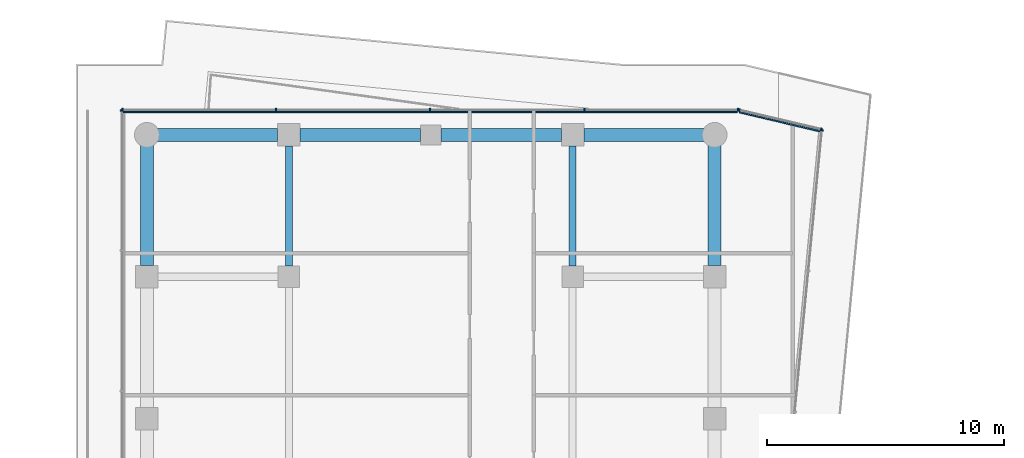
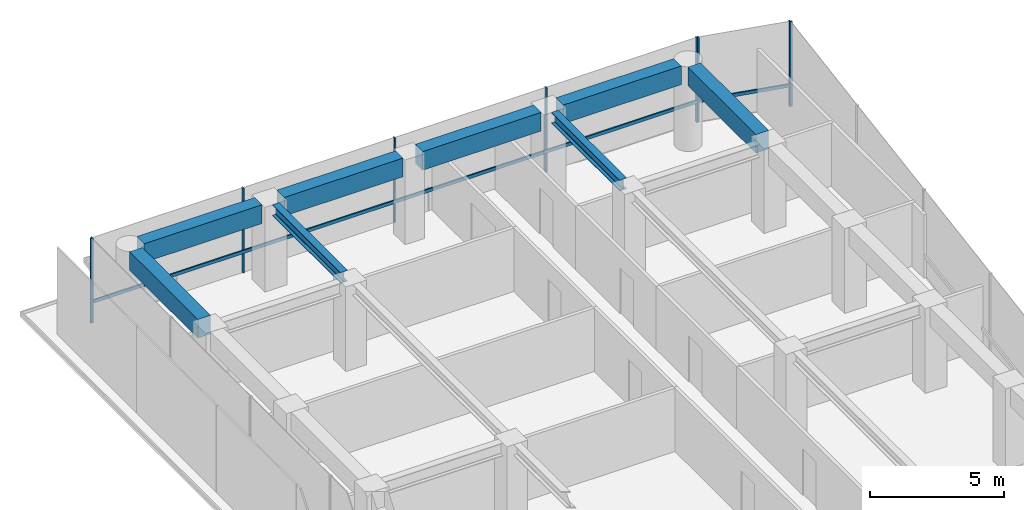
# One storey, part 16 of 23: 11 members, 8 beams, 4 elements without a shape of their own.
"""IFC4 building model written with IfcOpenShell, lengths in metres."""

from ifc_helpers import new_model, si_unit, direction, frame, origin, origin_2d, place, context, subcontext, project, spatial, rectangle, i_section, extrude, material, layer, layer_set, material_profile, profile_set, type_object, element, aggregate, save


model = new_model("IFC4")

# Units and contexts
model_context = context("Model", 3, precision=1e-05, world=origin(), true_north=direction((0.0, 1.0)))
body_context = subcontext(model_context, "Body", "Model", "MODEL_VIEW")
ifc_project = project(units=[si_unit("LENGTHUNIT", "METRE"), si_unit("AREAUNIT", "SQUARE_METRE"), si_unit("VOLUMEUNIT", "CUBIC_METRE"), si_unit("PLANEANGLEUNIT", "RADIAN"), si_unit("MASSUNIT", "GRAM", prefix="KILO")], contexts=[model_context])

# Site, building, storey
site_placement = place(None, origin())
site = spatial("IfcSite", under=ifc_project, at=site_placement, CompositionType="ELEMENT")
building_placement = place(site_placement, origin())
building = spatial("IfcBuilding", under=site, at=building_placement, Name="Welwitschia Terrace Campus", CompositionType="ELEMENT")
storey_placement = place(building_placement, frame((0.0, 0.0, 146.60009765625)))
storey = spatial("IfcBuildingStorey", under=building, at=storey_placement, Name="L32", CompositionType="ELEMENT", Elevation=146.60009765625)

# Beams
ifc_material_1 = material(Name="Steel S355", Category="steel")
ifc_material_profile_1 = material_profile(ifc_material_1, i_section(OverallWidth=0.300048828125, OverallDepth=0.489990234375, WebThickness=0.011962890625, FlangeThickness=0.02294921875, FilletRadius=0.027099609375, at=origin_2d()))
ifc_profile_set_1 = profile_set([ifc_material_profile_1], Name="Steel S355")
beam_type_1 = type_object("IfcBeamType", Name="Interior girder HE 500 A", PredefinedType="BEAM", material=ifc_profile_set_1)
for number, where, z_axis, x_axis, name in (
    (1, (6.0, 56.450439453125, 3.60498046875), (0.0, 1.0, 0.0), (-1.0, 0.0, 0.0), "Girder GB4"),
    (2, (18.0, 56.450439453125, 3.60498046875), (0.0, 1.0, 0.0), (-1.0, 0.0, 0.0), "Girder GB4"),
):
    element("IfcBeam", number, at=place(storey_placement, frame(where, z_axis=z_axis, x_axis=x_axis)), inside=storey, type_object=beam_type_1, Name=name, PredefinedType="BEAM", context=body_context, shape_type="SweptSolid", body=[
        extrude(i_section(OverallWidth=0.300048828125, OverallDepth=0.489990234375, WebThickness=0.011962890625, FlangeThickness=0.02294921875, FilletRadius=0.027099609375, at=origin_2d()), origin(), (0.0, 0.0, 1.0), 5.083984375),
    ])

# Curtain wall, member
ifc_material_2 = material(Name="Bronze anodised aluminium", Category="aluminium")
ifc_layer = layer(ifc_material_2, 0.1201171875)
ifc_layer_set = layer_set([ifc_layer], Name="Bronze anodised aluminium")
curtain_wall_type = type_object("IfcCurtainWallType", Name="Curtain wall CW2 tower 6000", PredefinedType="NOTDEFINED", material=ifc_layer_set)
curtain_wall_1_placement = place(storey_placement, origin())
curtain_wall_1 = element("IfcCurtainWall", 3, at=curtain_wall_1_placement, inside=storey, type_object=curtain_wall_type, Name="CW L32.0.0", PredefinedType="NOTDEFINED")
ifc_material_3 = material(Name="Bronze anodised aluminium", Category="aluminium")
ifc_material_profile_2 = material_profile(ifc_material_3, rectangle(XDim=0.1201171875, YDim=0.06005859375, at=origin_2d()))
ifc_profile_set_2 = profile_set([ifc_material_profile_2], Name="Bronze anodised aluminium")
member_type_1 = type_object("IfcMemberType", Name="Mullion 60x120", PredefinedType="MULLION", material=ifc_profile_set_2)
member_1_placement = place(storey_placement, frame((-1.05810546875, 63.028076171875, 0.0), z_axis=(0.0, 0.0, 1.0), x_axis=(1.0, 0.0, 0.0)))
member_1 = element("IfcMember", 4, at=member_1_placement, type_object=member_type_1, Name="Mullion L32.0.0.0", PredefinedType="MULLION", context=body_context, shape_type="SweptSolid", body=[
    extrude(rectangle(XDim=0.1201171875, YDim=0.06005859375, at=origin_2d()), origin(), (0.0, 0.0, 1.0), 3.849853515625),
])
aggregate(curtain_wall_1, [member_1])

curtain_wall_2_placement = place(storey_placement, origin())
curtain_wall_2 = element("IfcCurtainWall", 5, at=curtain_wall_2_placement, inside=storey, type_object=curtain_wall_type, Name="CW L32.12.0", PredefinedType="NOTDEFINED")
member_2_placement = place(storey_placement, frame((28.53173828125, 62.1962890625, 0.0), z_axis=(0.0, 0.0, 1.0), x_axis=(-0.995396198367, 0.09584575252, 0.0)))
member_2 = element("IfcMember", 6, at=member_2_placement, type_object=member_type_1, Name="Mullion L32.12.0.6", PredefinedType="MULLION", context=body_context, shape_type="SweptSolid", body=[
    extrude(rectangle(XDim=0.1201171875, YDim=0.06005859375, at=origin_2d()), origin(), (0.0, 0.0, 1.0), 3.849853515625),
])
aggregate(curtain_wall_2, [member_2])

# Curtain wall, members
curtain_wall_3_placement = place(storey_placement, origin())
curtain_wall_3 = element("IfcCurtainWall", 7, at=curtain_wall_3_placement, inside=storey, type_object=curtain_wall_type, Name="CW L32.13.0", PredefinedType="NOTDEFINED")
member_3_placement = place(storey_placement, frame((28.50537109375, 62.233154296875, 0.0), z_axis=(0.0, 0.0, 1.0), x_axis=(-0.229499270075, -0.973308833328, 0.0)))
member_3 = element("IfcMember", 8, at=member_3_placement, type_object=member_type_1, Name="Mullion L32.13.0.0", PredefinedType="MULLION", context=body_context, shape_type="SweptSolid", body=[
    extrude(rectangle(XDim=0.1201171875, YDim=0.06005859375, at=origin_2d()), origin(), (0.0, 0.0, 1.0), 3.849853515625),
])
member_4_placement = place(storey_placement, frame((25.035888671875, 63.051025390625, 0.0), z_axis=(0.0, 0.0, 1.0), x_axis=(-0.229499270075, -0.973308833328, 0.0)))
member_4 = element("IfcMember", 9, at=member_4_placement, type_object=member_type_1, Name="Mullion L32.13.0.1", PredefinedType="MULLION", context=body_context, shape_type="SweptSolid", body=[
    extrude(rectangle(XDim=0.1201171875, YDim=0.06005859375, at=origin_2d()), origin(), (0.0, 0.0, 1.0), 3.849853515625),
])

curtain_wall_4_placement = place(storey_placement, origin())
curtain_wall_4 = element("IfcCurtainWall", 10, at=curtain_wall_4_placement, inside=storey, type_object=curtain_wall_type, Name="CW L32.14.0", PredefinedType="NOTDEFINED")
member_5_placement = place(storey_placement, frame((24.976806640625, 63.05810546875, 0.0), z_axis=(0.0, 0.0, 1.0), x_axis=(0.0, -1.0, 0.0)))
member_5 = element("IfcMember", 11, at=member_5_placement, type_object=member_type_1, Name="Mullion L32.14.0.0", PredefinedType="MULLION", context=body_context, shape_type="SweptSolid", body=[
    extrude(rectangle(XDim=0.1201171875, YDim=0.06005859375, at=origin_2d()), origin(), (0.0, 0.0, 1.0), 3.849853515625),
])
member_6_placement = place(storey_placement, frame((18.490478515625, 63.05810546875, 0.0), z_axis=(0.0, 0.0, 1.0), x_axis=(0.0, -1.0, 0.0)))
member_6 = element("IfcMember", 12, at=member_6_placement, type_object=member_type_1, Name="Mullion L32.14.0.1", PredefinedType="MULLION", context=body_context, shape_type="SweptSolid", body=[
    extrude(rectangle(XDim=0.1201171875, YDim=0.06005859375, at=origin_2d()), origin(), (0.0, 0.0, 1.0), 3.849853515625),
])
member_7_placement = place(storey_placement, frame((11.974365234375, 63.05810546875, 0.0), z_axis=(0.0, 0.0, 1.0), x_axis=(0.0, -1.0, 0.0)))
member_7 = element("IfcMember", 13, at=member_7_placement, type_object=member_type_1, Name="Mullion L32.14.0.2", PredefinedType="MULLION", context=body_context, shape_type="SweptSolid", body=[
    extrude(rectangle(XDim=0.1201171875, YDim=0.06005859375, at=origin_2d()), origin(), (0.0, 0.0, 1.0), 3.849853515625),
])
member_8_placement = place(storey_placement, frame((5.458251953125, 63.05810546875, 0.0), z_axis=(0.0, 0.0, 1.0), x_axis=(0.0, -1.0, 0.0)))
member_8 = element("IfcMember", 14, at=member_8_placement, type_object=member_type_1, Name="Mullion L32.14.0.3", PredefinedType="MULLION", context=body_context, shape_type="SweptSolid", body=[
    extrude(rectangle(XDim=0.1201171875, YDim=0.06005859375, at=origin_2d()), origin(), (0.0, 0.0, 1.0), 3.849853515625),
])
member_9_placement = place(storey_placement, frame((-1.028076171875, 63.05810546875, 0.0), z_axis=(0.0, 0.0, 1.0), x_axis=(0.0, -1.0, 0.0)))
member_9 = element("IfcMember", 15, at=member_9_placement, type_object=member_type_1, Name="Mullion L32.14.0.4", PredefinedType="MULLION", context=body_context, shape_type="SweptSolid", body=[
    extrude(rectangle(XDim=0.1201171875, YDim=0.06005859375, at=origin_2d()), origin(), (0.0, 0.0, 1.0), 3.849853515625),
])

# Beams
ifc_material_4 = material(Name="Concrete C50/60", Category="concrete")
ifc_material_profile_3 = material_profile(ifc_material_4, rectangle(XDim=0.550048828125, YDim=0.85009765625, at=origin_2d()))
ifc_profile_set_3 = profile_set([ifc_material_profile_3], Name="Concrete C50/60")
beam_type_2 = type_object("IfcBeamType", Name="Ring spandrel 550x850", PredefinedType="SPANDREL", material=ifc_profile_set_3)
for number, where, z_axis, x_axis, name in (
    (16, (24.0, 56.4755859375, 3.4248046875), (0.0, 1.0, 0.0), (-1.0, 0.0, 0.0), "Spandrel SP3"),
    (17, (23.552001953125, 62.0, 3.4248046875), (-1.0, 0.0, 0.0), (0.0, -1.0, 0.0), "Spandrel SP3"),
):
    element("IfcBeam", number, at=place(storey_placement, frame(where, z_axis=z_axis, x_axis=x_axis)), inside=storey, type_object=beam_type_2, Name=name, PredefinedType="SPANDREL", context=body_context, shape_type="SweptSolid", body=[
        extrude(rectangle(XDim=0.550048828125, YDim=0.85009765625, at=origin_2d()), origin(), (0.0, 0.0, 1.0), 5.076416015625),
    ])
for number, where, z_axis, x_axis, name in (
    (18, (17.5244140625, 62.0, 3.4248046875), (-1.0, 0.0, 0.0), (0.0, -1.0, 0.0), "Spandrel SP3"),
    (19, (11.574462890625, 62.0, 3.4248046875), (-1.0, 0.0, 0.0), (0.0, -1.0, 0.0), "Spandrel SP3"),
):
    element("IfcBeam", number, at=place(storey_placement, frame(where, z_axis=z_axis, x_axis=x_axis)), inside=storey, type_object=beam_type_2, Name=name, PredefinedType="SPANDREL", context=body_context, shape_type="SweptSolid", body=[
        extrude(rectangle(XDim=0.550048828125, YDim=0.85009765625, at=origin_2d()), origin(), (0.0, 0.0, 1.0), 5.098876953125),
    ])
for number, where, z_axis, x_axis, name in (
    (20, (5.5244140625, 62.0, 3.4248046875), (-1.0, 0.0, 0.0), (0.0, -1.0, 0.0), "Spandrel SP3"),
    (21, (0.0, 61.552001953125, 3.4248046875), (0.0, -1.0, 0.0), (1.0, 0.0, 0.0), "Spandrel SP3"),
):
    element("IfcBeam", number, at=place(storey_placement, frame(where, z_axis=z_axis, x_axis=x_axis)), inside=storey, type_object=beam_type_2, Name=name, PredefinedType="SPANDREL", context=body_context, shape_type="SweptSolid", body=[
        extrude(rectangle(XDim=0.550048828125, YDim=0.85009765625, at=origin_2d()), origin(), (0.0, 0.0, 1.0), 5.076416015625),
    ])

# Member
ifc_material_5 = material(Name="Bronze anodised aluminium", Category="aluminium")
ifc_material_profile_4 = material_profile(ifc_material_5, rectangle(XDim=0.06005859375, YDim=0.14990234375, at=origin_2d()))
ifc_profile_set_4 = profile_set([ifc_material_profile_4], Name="Bronze anodised aluminium")
member_type_2 = type_object("IfcMemberType", Name="Transom 60x150", PredefinedType="USERDEFINED", material=ifc_profile_set_4)
member_10_placement = place(storey_placement, frame((28.45556640625, 62.15234375, 1.0), z_axis=(-0.973316578724, 0.22946641929, 0.0), x_axis=(-0.22946641929, -0.973316578724, 0.0)))
member_10 = element("IfcMember", 22, at=member_10_placement, type_object=member_type_2, Name="Transom L32.13.0", ObjectType="TRANSOM", PredefinedType="USERDEFINED", context=body_context, shape_type="SweptSolid", body=[
    extrude(rectangle(XDim=0.06005859375, YDim=0.14990234375, at=origin_2d()), origin(), (0.0, 0.0, 1.0), 3.504638671875),
])

aggregate(curtain_wall_3, [member_3, member_4, member_10])

member_11_placement = place(storey_placement, frame((24.94677734375, 62.968017578125, 1.0), z_axis=(-1.0, 0.0, 0.0), x_axis=(0.0, -1.0, 0.0)))
member_11 = element("IfcMember", 23, at=member_11_placement, type_object=member_type_2, Name="Transom L32.14.0", ObjectType="TRANSOM", PredefinedType="USERDEFINED", context=body_context, shape_type="SweptSolid", body=[
    extrude(rectangle(XDim=0.06005859375, YDim=0.14990234375, at=origin_2d()), origin(), (0.0, 0.0, 1.0), 25.94482421875),
])

aggregate(curtain_wall_4, [member_5, member_6, member_7, member_8, member_9, member_11])

save(model, "model.ifc")
